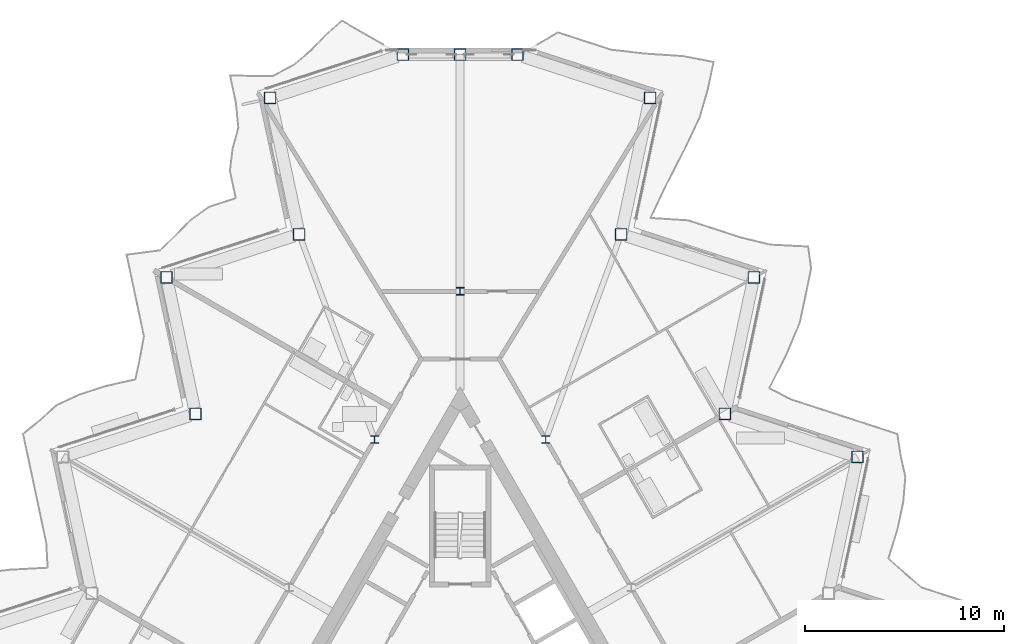
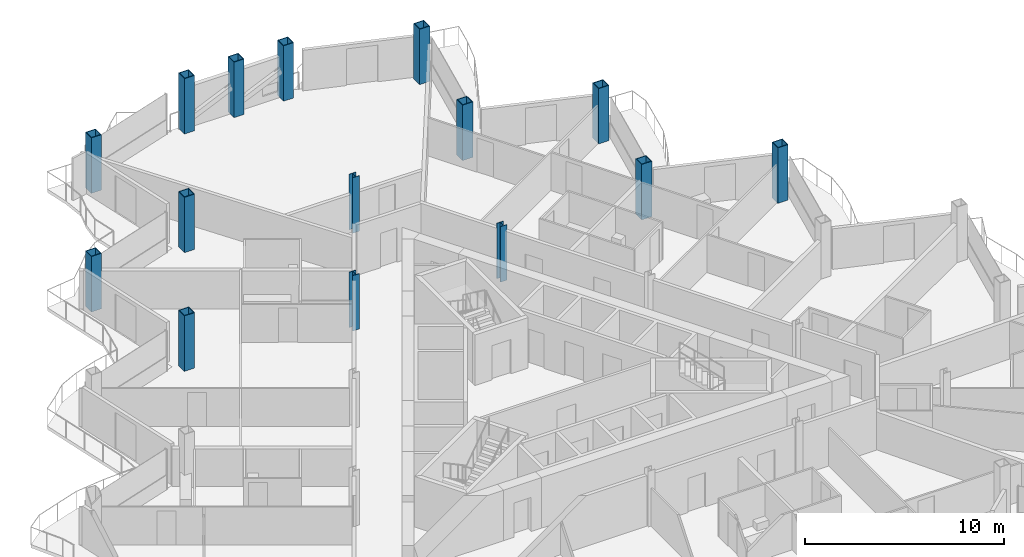
# One storey, part 3 of 28: 15 columns.
"""IFC4 building model written with IfcOpenShell, lengths in metres."""

from ifc_helpers import new_model, si_unit, direction, frame, origin, origin_2d, place, context, subcontext, project, spatial, hollow_rectangle, i_section, extrude, material, material_profile, profile_set, type_object, element, save


model = new_model("IFC4")

# Units and contexts
model_context = context("Model", 3, precision=1e-05, world=origin(), true_north=direction((0.0, 1.0)))
body_context = subcontext(model_context, "Body", "Model", "MODEL_VIEW")
ifc_project = project(units=[si_unit("LENGTHUNIT", "METRE"), si_unit("AREAUNIT", "SQUARE_METRE"), si_unit("VOLUMEUNIT", "CUBIC_METRE"), si_unit("PLANEANGLEUNIT", "RADIAN"), si_unit("MASSUNIT", "GRAM", prefix="KILO")], contexts=[model_context])

# Site, building, storey
site_placement = place(None, origin())
site = spatial("IfcSite", under=ifc_project, at=site_placement, CompositionType="ELEMENT")
building_placement = place(site_placement, origin())
building = spatial("IfcBuilding", under=site, at=building_placement, Name="Cormorant Prow Tower", CompositionType="ELEMENT")
storey_placement = place(building_placement, frame((0.0, 0.0, 301.800048828125)))
storey = spatial("IfcBuildingStorey", under=building, at=storey_placement, Name="L65", CompositionType="ELEMENT", Elevation=301.800048828125)

# Columns
ifc_material_1 = material(Name="Structural steel ASTM A572 Gr 50", Category="steel")
ifc_material_profile_1 = material_profile(ifc_material_1, hollow_rectangle(XDim=0.60009765625, YDim=0.60009765625, WallThickness=0.0400390625, at=origin_2d()), Name="Box 600x600x40")
ifc_profile_set_1 = profile_set([ifc_material_profile_1], Name="Structural steel ASTM A572 Gr 50")
column_type_1 = type_object("IfcColumnType", Name="Perimeter box column 600x600x40", PredefinedType="COLUMN", material=ifc_profile_set_1)
for number, where, z_axis, x_axis, name in (
    (1, (19.925537109375, 11.504150390625, 0.0), (0.0, 0.0, 1.0), (1.0, 0.0, 0.0), "Perimeter column C6 at ENE05 L65"),
    (2, (13.27197265625, 13.666015625, 0.0), (0.0, 0.0, 1.0), (1.0, 0.0, 0.0), "Perimeter column C6 at ENE06 L65"),
    (3, (14.7265625, 20.509033203125, 0.0), (0.0, 0.0, 1.0), (1.0, 0.0, 0.0), "Perimeter column C6 at ENE07 L65"),
    (4, (8.072998046875, 22.6708984375, 0.0), (0.0, 0.0, 1.0), (1.0, 0.0, 0.0), "Perimeter column C6 at ENE08 L65"),
    (5, (9.52734375, 29.51416015625, 0.0), (0.0, 0.0, 1.0), (1.0, 0.0, 0.0), "Perimeter column C6 at ENE09 L65"),
    (6, (2.873779296875, 31.676025390625, 0.0), (0.0, 0.0, 1.0), (1.0, 0.0, 0.0), "Perimeter column C6 at N00 L65"),
    (7, (0.0, 31.676025390625, 0.0), (0.0, 0.0, 1.0), (1.0, 0.0, 0.0), "Perimeter column C6 at N01 L65"),
    (8, (-2.873779296875, 31.676025390625, 0.0), (0.0, 0.0, 1.0), (1.0, 0.0, 0.0), "Perimeter column C6 at WNW00 L65"),
    (9, (-9.52734375, 29.51416015625, 0.0), (0.0, 0.0, 1.0), (1.0, 0.0, 0.0), "Perimeter column C6 at WNW01 L65"),
    (10, (-8.072998046875, 22.6708984375, 0.0), (0.0, 0.0, 1.0), (1.0, 0.0, 0.0), "Perimeter column C6 at WNW02 L65"),
    (11, (-14.7265625, 20.509033203125, 0.0), (0.0, 0.0, 1.0), (1.0, 0.0, 0.0), "Perimeter column C6 at WNW03 L65"),
    (12, (-13.27197265625, 13.666015625, 0.0), (0.0, 0.0, 1.0), (1.0, 0.0, 0.0), "Perimeter column C6 at WNW04 L65"),
):
    element("IfcColumn", number, at=place(storey_placement, frame(where, z_axis=z_axis, x_axis=x_axis)), inside=storey, type_object=column_type_1, Name=name, PredefinedType="COLUMN", context=body_context, shape_type="SweptSolid", body=[
        extrude(hollow_rectangle(XDim=0.60009765625, YDim=0.60009765625, WallThickness=0.0400390625, at=origin_2d()), origin(), (0.0, 0.0, 1.0), 3.39990234375),
    ])
ifc_material_2 = material(Name="Structural steel ASTM A992 Gr 50", Category="steel")
ifc_material_profile_2 = material_profile(ifc_material_2, i_section(OverallWidth=0.3955078125, OverallDepth=0.380615234375, WebThickness=0.018798828125, FlangeThickness=0.0302734375, at=origin_2d()), Name="W14x159")
ifc_profile_set_2 = profile_set([ifc_material_profile_2], Name="Structural steel ASTM A992 Gr 50")
column_type_2 = type_object("IfcColumnType", Name="Ring column W14x159", PredefinedType="COLUMN", material=ifc_profile_set_2)
for number, where, z_axis, x_axis, name in (
    (13, (0.0, 19.81103515625, 0.0), (0.0, 0.0, 1.0), (1.0, 0.0, 0.0), "Ring column 1 L65"),
    (14, (-4.289306640625, 12.3818359375, 0.0), (0.0, 0.0, 1.0), (1.0, 0.0, 0.0), "Ring column 2 L65"),
    (15, (4.289306640625, 12.3818359375, 0.0), (0.0, 0.0, 1.0), (1.0, 0.0, 0.0), "Ring column 12 L65"),
):
    element("IfcColumn", number, at=place(storey_placement, frame(where, z_axis=z_axis, x_axis=x_axis)), inside=storey, type_object=column_type_2, Name=name, PredefinedType="COLUMN", context=body_context, shape_type="SweptSolid", body=[
        extrude(i_section(OverallWidth=0.3955078125, OverallDepth=0.380615234375, WebThickness=0.018798828125, FlangeThickness=0.0302734375, at=origin_2d()), origin(), (0.0, 0.0, 1.0), 3.39990234375),
    ])

save(model, "model.ifc")
